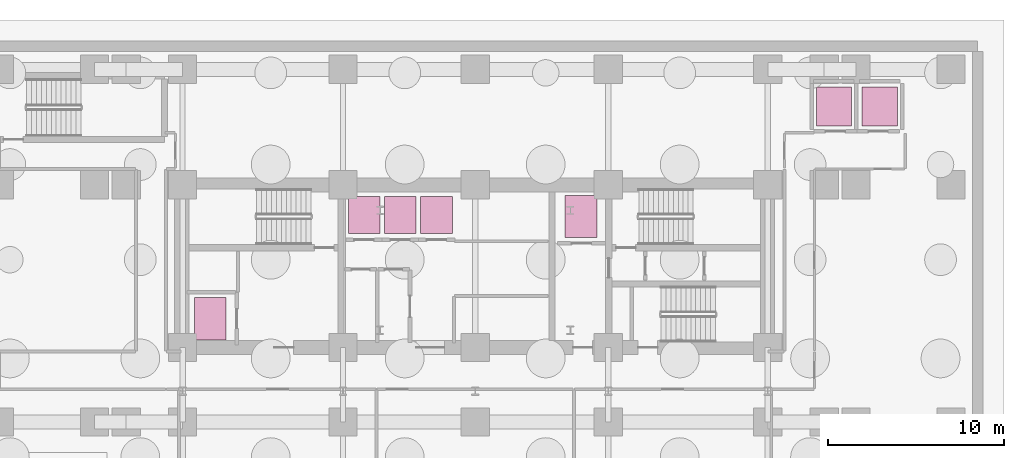
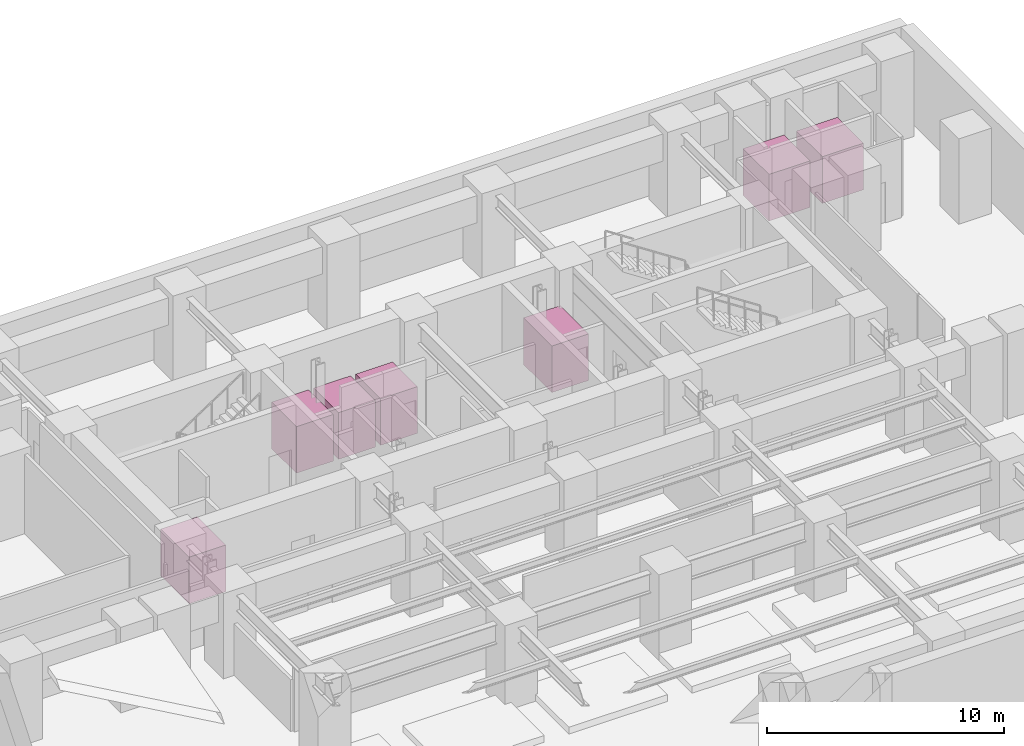
# One storey, part 9 of 9: 7 transport elements.
"""IFC4 building model written with IfcOpenShell, lengths in metres."""

from ifc_helpers import new_model, si_unit, direction, frame, origin, origin_2d, place, context, subcontext, project, spatial, rectangle, extrude, material, type_object, element, save


model = new_model("IFC4")

# Units and contexts
model_context = context("Model", 3, precision=1e-05, world=origin(), true_north=direction((0.0, 1.0)))
body_context = subcontext(model_context, "Body", "Model", "MODEL_VIEW")
ifc_project = project(units=[si_unit("LENGTHUNIT", "METRE"), si_unit("AREAUNIT", "SQUARE_METRE"), si_unit("VOLUMEUNIT", "CUBIC_METRE"), si_unit("PLANEANGLEUNIT", "RADIAN"), si_unit("MASSUNIT", "GRAM", prefix="KILO")], contexts=[model_context])

# Site, building, storey
site_placement = place(None, origin())
site = spatial("IfcSite", under=ifc_project, at=site_placement, CompositionType="ELEMENT")
building_placement = place(site_placement, origin())
building = spatial("IfcBuilding", under=site, at=building_placement, Name="Zarnavel Station Tower", CompositionType="ELEMENT")
storey_placement = place(building_placement, frame((0.0, 0.0, -13.199951171875)))
storey = spatial("IfcBuildingStorey", under=building, at=storey_placement, Name="B03", CompositionType="ELEMENT", Elevation=-13.199951171875)

# Transport elements
ifc_material_1 = material(Name="Stainless Steel EN 81-72 Firefighting Lift Car", Category="steel")
transport_element_type_1 = type_object("IfcTransportElementType", Name="LFT_FF_1800x2400", PredefinedType="ELEVATOR", material=ifc_material_1)
for number, where, z_axis, x_axis, name in (
    (1, (13.77490234375, 29.449951171875, 0.050048828125), (0.0, 0.0, 1.0), (1.0, 0.0, 0.0), "Firefighting Lift FFL-01"),
    (2, (34.800048828125, 35.25, 0.050048828125), (0.0, 0.0, 1.0), (1.0, 0.0, 0.0), "Firefighting Lift FFL-02"),
):
    element("IfcTransportElement", number, at=place(storey_placement, frame(where, z_axis=z_axis, x_axis=x_axis)), inside=storey, type_object=transport_element_type_1, Name=name, PredefinedType="ELEVATOR", context=body_context, shape_type="SweptSolid", body=[
        extrude(rectangle(XDim=1.800048828125, YDim=2.39990234375, at=origin_2d()), origin(), (0.0, 0.0, 1.0), 2.39990234375),
    ])
ifc_material_2 = material(Name="Brushed Bronze Passenger Lift Car", Category="steel")
transport_element_type_2 = type_object("IfcTransportElementType", Name="LFT_PAX_1800x2100", PredefinedType="ELEVATOR", material=ifc_material_2)
for number, where, z_axis, x_axis, name in (
    (3, (22.5, 35.35009765625, 0.050048828125), (0.0, 0.0, 1.0), (1.0, 0.0, 0.0), "Passenger Lift PL-L1"),
    (4, (24.550048828125, 35.35009765625, 0.050048828125), (0.0, 0.0, 1.0), (1.0, 0.0, 0.0), "Passenger Lift PL-L2"),
    (5, (26.60009765625, 35.35009765625, 0.050048828125), (0.0, 0.0, 1.0), (1.0, 0.0, 0.0), "Passenger Lift PL-L3"),
):
    element("IfcTransportElement", number, at=place(storey_placement, frame(where, z_axis=z_axis, x_axis=x_axis)), inside=storey, type_object=transport_element_type_2, Name=name, PredefinedType="ELEVATOR", context=body_context, shape_type="SweptSolid", body=[
        extrude(rectangle(XDim=1.800048828125, YDim=2.10009765625, at=origin_2d()), origin(), (0.0, 0.0, 1.0), 2.39990234375),
    ])
ifc_material_3 = material(Name="Glazed Station Shuttle Lift Car", Category="steel")
transport_element_type_3 = type_object("IfcTransportElementType", Name="LFT_POD_2000x2200", PredefinedType="ELEVATOR", material=ifc_material_3)
for number, where, z_axis, x_axis, name in (
    (6, (49.14990234375, 41.5, 0.050048828125), (0.0, 0.0, 1.0), (1.0, 0.0, 0.0), "Passenger Lift PL-P1"),
    (7, (51.75, 41.5, 0.050048828125), (0.0, 0.0, 1.0), (1.0, 0.0, 0.0), "Passenger Lift PL-P2"),
):
    element("IfcTransportElement", number, at=place(storey_placement, frame(where, z_axis=z_axis, x_axis=x_axis)), inside=storey, type_object=transport_element_type_3, Name=name, PredefinedType="ELEVATOR", context=body_context, shape_type="SweptSolid", body=[
        extrude(rectangle(XDim=2.0, YDim=2.199951171875, at=origin_2d()), origin(), (0.0, 0.0, 1.0), 2.39990234375),
    ])

save(model, "model.ifc")
